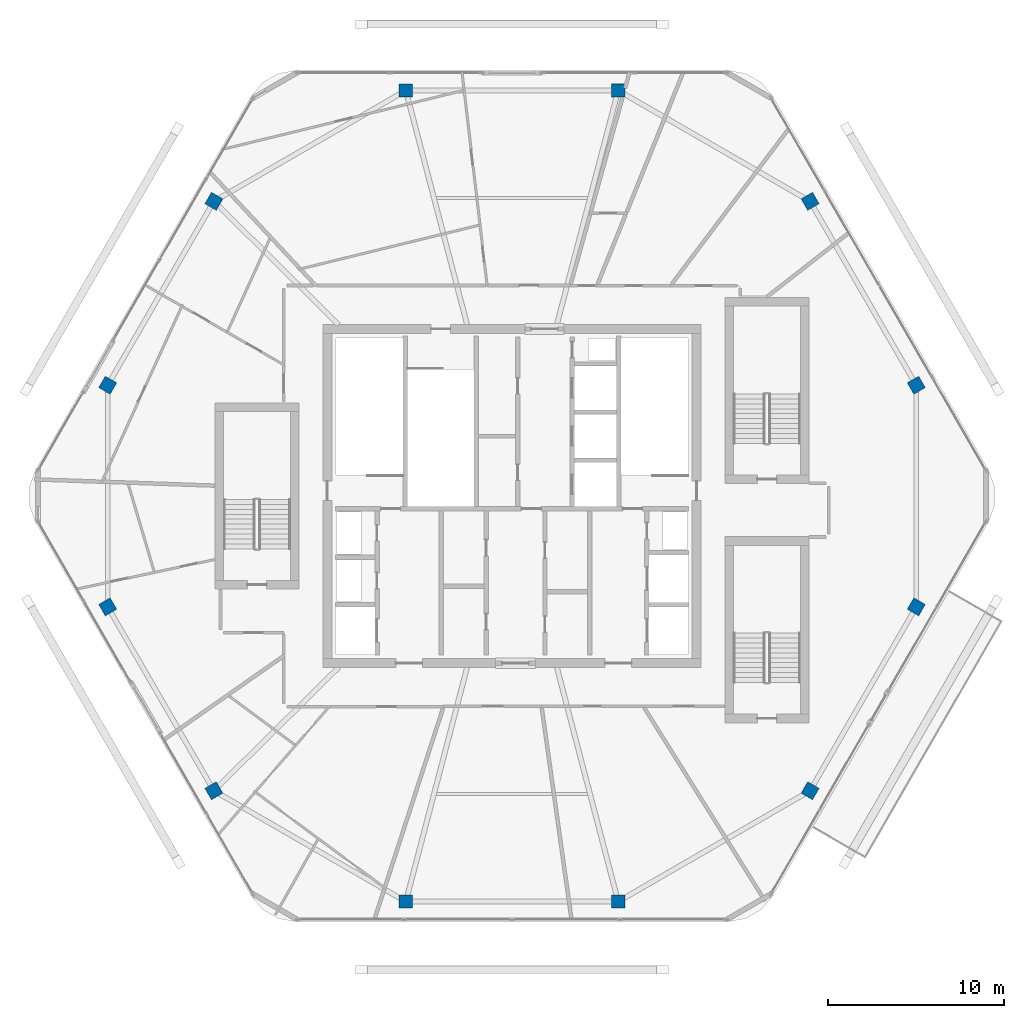
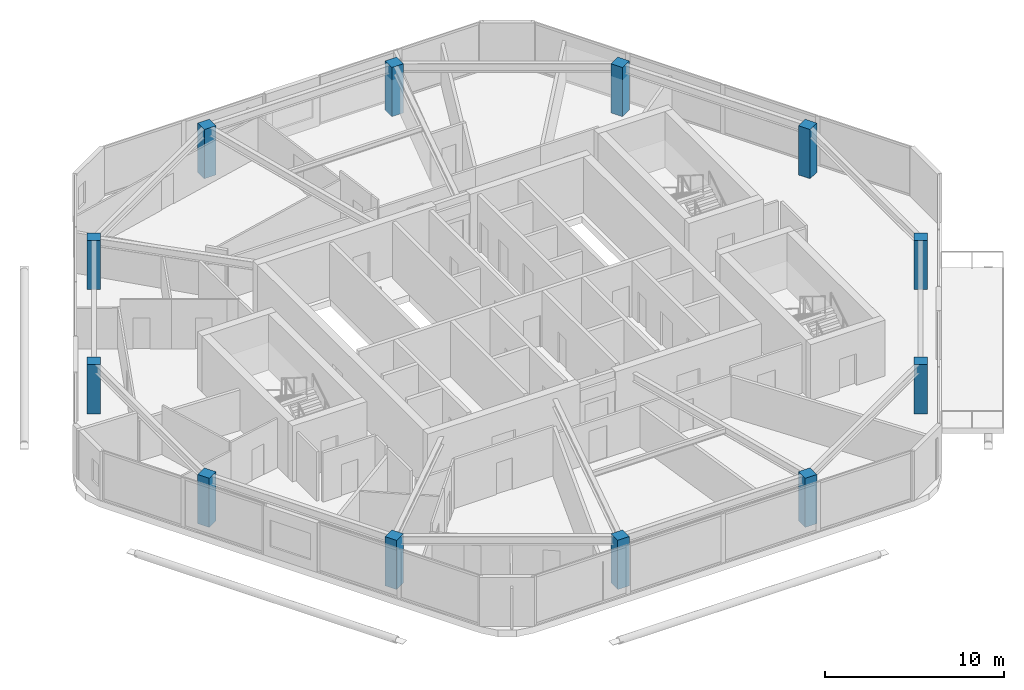
# One storey, part 1 of 22: 12 columns.
"""IFC4 building model written with IfcOpenShell, lengths in metres."""

from ifc_helpers import new_model, si_unit, direction, frame, origin, origin_2d, place, context, subcontext, project, spatial, rectangle, extrude, material, material_profile, profile_set, type_object, element, save


model = new_model("IFC4")

# Units and contexts
model_context = context("Model", 3, precision=1e-05, world=origin(), true_north=direction((0.0, 1.0)))
body_context = subcontext(model_context, "Body", "Model", "MODEL_VIEW")
ifc_project = project(units=[si_unit("LENGTHUNIT", "METRE"), si_unit("AREAUNIT", "SQUARE_METRE"), si_unit("VOLUMEUNIT", "CUBIC_METRE"), si_unit("PLANEANGLEUNIT", "RADIAN"), si_unit("MASSUNIT", "GRAM", prefix="KILO")], contexts=[model_context])

# Site, building, storey
site_placement = place(None, origin())
site = spatial("IfcSite", under=ifc_project, at=site_placement, CompositionType="ELEMENT")
building_placement = place(site_placement, origin())
building = spatial("IfcBuilding", under=site, at=building_placement, Name="Zuhravey Tower", CompositionType="ELEMENT")
storey_placement = place(building_placement, frame((0.0, 0.0, 357.60009765625)))
storey = spatial("IfcBuildingStorey", under=building, at=storey_placement, Name="L91", CompositionType="ELEMENT", Elevation=357.60009765625)

# Columns
ifc_material = material(Name="Concrete C50/60", Category="concrete")
ifc_material_profile = material_profile(ifc_material, rectangle(XDim=0.75, YDim=0.75, at=origin_2d()), Name="RC-750x750")
ifc_profile_set = profile_set([ifc_material_profile], Name="Concrete C50/60")
column_type = type_object("IfcColumnType", Name="Zone 4 Upper Column 750x750", PredefinedType="COLUMN", material=ifc_profile_set)
for number, where, z_axis, x_axis, name in (
    (1, (58.993408203125, 38.302490234375, 0.0), (0.0, 0.0, 1.0), (-0.5, 0.866025403784, 0.0), "L91 Perimeter Column PC01"),
    (2, (52.95458984375, 48.76171875, 0.0), (0.0, 0.0, 1.0), (-0.5, 0.866025403784, 0.0), "L91 Perimeter Column PC02"),
    (3, (42.038818359375, 55.064208984375, 0.0), (0.0, 0.0, 1.0), (-1.0, 0.0, 0.0), "L91 Perimeter Column PC03"),
    (4, (29.961181640625, 55.064208984375, 0.0), (0.0, 0.0, 1.0), (-1.0, 0.0, 0.0), "L91 Perimeter Column PC04"),
    (5, (19.04541015625, 48.76171875, 0.0), (0.0, 0.0, 1.0), (-0.5, -0.866025403784, 0.0), "L91 Perimeter Column PC05"),
    (6, (13.006591796875, 38.302490234375, 0.0), (0.0, 0.0, 1.0), (-0.5, -0.866025403784, 0.0), "L91 Perimeter Column PC06"),
    (7, (13.006591796875, 25.697509765625, 0.0), (0.0, 0.0, 1.0), (0.5, -0.866025403784, 0.0), "L91 Perimeter Column PC07"),
    (8, (19.04541015625, 15.23828125, 0.0), (0.0, 0.0, 1.0), (0.5, -0.866025403784, 0.0), "L91 Perimeter Column PC08"),
    (9, (29.961181640625, 8.935791015625, 0.0), (0.0, 0.0, 1.0), (1.0, 0.0, 0.0), "L91 Perimeter Column PC09"),
    (10, (42.038818359375, 8.935791015625, 0.0), (0.0, 0.0, 1.0), (1.0, 0.0, 0.0), "L91 Perimeter Column PC10"),
    (11, (52.95458984375, 15.23828125, 0.0), (0.0, 0.0, 1.0), (0.5, 0.866025403784, 0.0), "L91 Perimeter Column PC11"),
    (12, (58.993408203125, 25.697509765625, 0.0), (0.0, 0.0, 1.0), (0.5, 0.866025403784, 0.0), "L91 Perimeter Column PC12"),
):
    element("IfcColumn", number, at=place(storey_placement, frame(where, z_axis=z_axis, x_axis=x_axis)), inside=storey, type_object=column_type, Name=name, PredefinedType="COLUMN", context=body_context, shape_type="SweptSolid", body=[
        extrude(rectangle(XDim=0.75, YDim=0.75, at=origin_2d()), origin(), (0.0, 0.0, 1.0), 3.349853515625),
    ])

save(model, "model.ifc")
